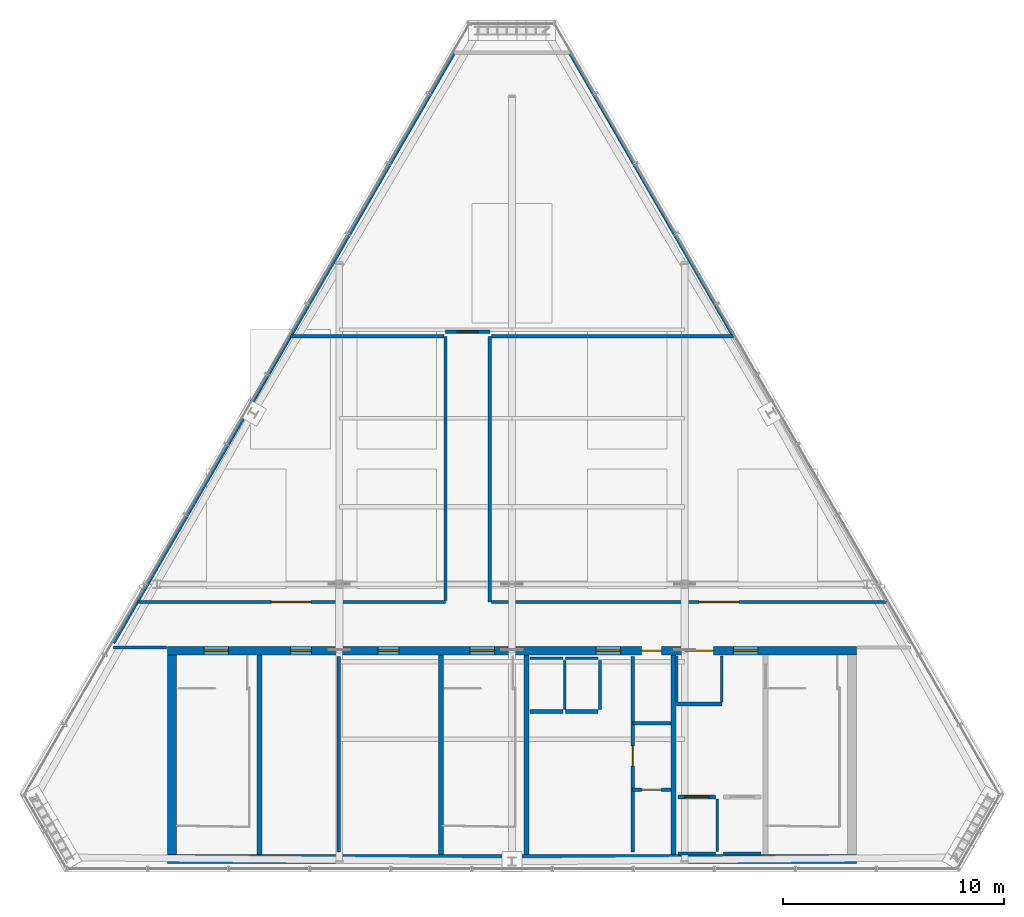
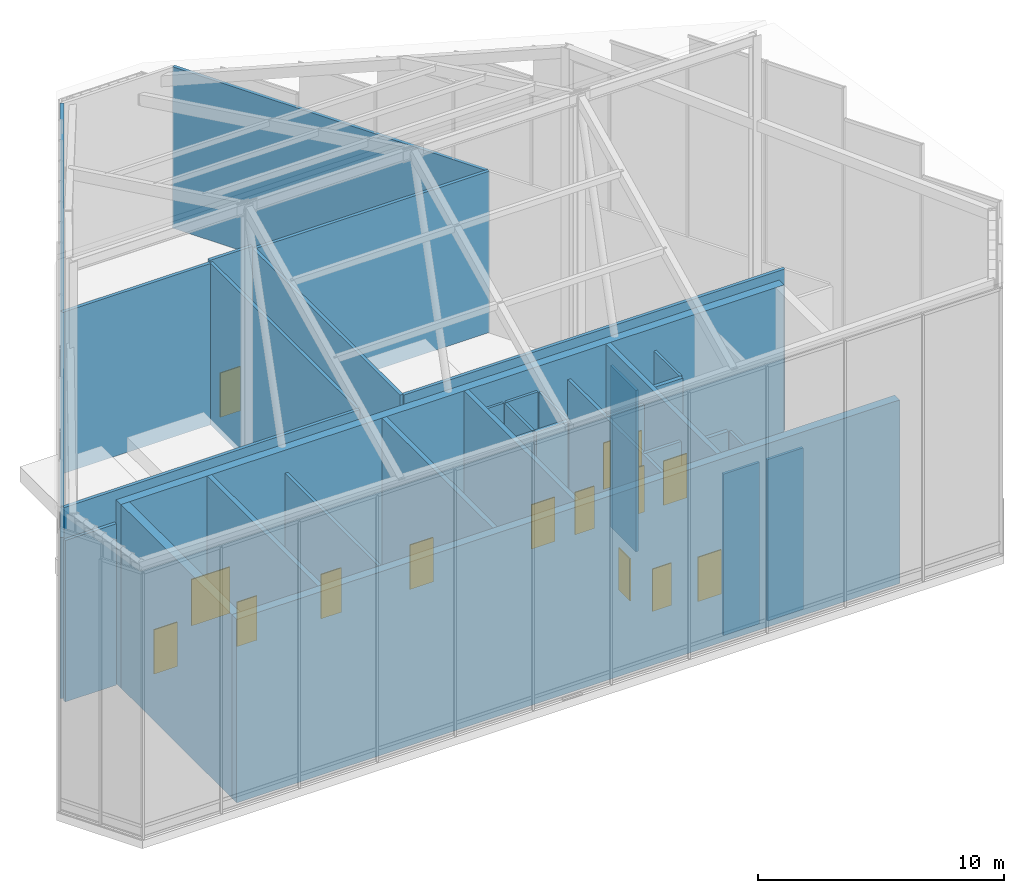
# One storey, part 34 of 36: 36 walls, 14 doors, 14 openings.
"""IFC4 building model written with IfcOpenShell, lengths in metres."""

import ifcopenshell
import ifcopenshell.guid

model = None  # the IFC model being written
_history = None  # IfcOwnerHistory: only IFC2X3 demands one
_inside = {}  # id of a spatial element -> (the spatial element, [elements in it])
_under = {}  # id of a project, library or spatial element -> (it, [spatial elements below it])
_declared = {}  # id of a project -> (the project, [libraries it declares])
_typed = {}  # id of a type object -> (the type object, [elements of that type])
_made_of = {}  # id of a material, layer set ... -> (it, [elements and type objects made of it])


def new_model(schema):
    """Start an empty IFC model of exactly this schema.

    Asked for "IFC4X3", IfcOpenShell would pick the latest addendum, in which some entities
    have other attributes; the version numbers below select the first issue.
    IFC2X3 requires an IfcOwnerHistory on every rooted entity: one is made here for all.
    """
    global model, _history
    if schema == "IFC4X3":
        model = ifcopenshell.file(schema_version=(4, 3, 0, 0))
    else:
        model = ifcopenshell.file(schema=schema)
    _inside.clear()
    _under.clear()
    _declared.clear()
    _typed.clear()
    _made_of.clear()
    _history = None
    if model.schema == "IFC2X3":
        org = make("IfcOrganization", Name="unknown")
        user = make(
            "IfcPersonAndOrganization",
            ThePerson=make("IfcPerson", FamilyName="unknown"),
            TheOrganization=org,
        )
        app = make(
            "IfcApplication",
            ApplicationDeveloper=org,
            Version="unknown",
            ApplicationFullName="unknown",
            ApplicationIdentifier="unknown",
        )
        _history = make(
            "IfcOwnerHistory",
            OwningUser=user,
            OwningApplication=app,
            ChangeAction="ADDED",
            CreationDate=0,
        )
    return model


def make(cls, **values):
    """One entity of the class cls with the attributes given. An attribute that is None is left unset."""
    return model.create_entity(
        cls, **{name: value for name, value in values.items() if value is not None}
    )


def rooted(cls, **values):
    """An entity with a GlobalId (a new one), such as an element, a storey or a relation."""
    return make(cls, GlobalId=ifcopenshell.guid.new(), OwnerHistory=_history, **values)


def si_unit(unit_type, name, prefix=None):
    """IfcSIUnit, for example si_unit("LENGTHUNIT", "METRE", prefix="MILLI")."""
    return make("IfcSIUnit", UnitType=unit_type, Prefix=prefix, Name=name)


def assignment(units):
    """IfcUnitAssignment: the units of a project."""
    return None if units is None else make("IfcUnitAssignment", Units=units)


def point(xyz):
    """IfcCartesianPoint."""
    return None if xyz is None else make("IfcCartesianPoint", Coordinates=xyz)


def direction(xyz):
    """IfcDirection."""
    return None if xyz is None else make("IfcDirection", DirectionRatios=xyz)


def frame(location, z_axis=None, x_axis=None):
    """IfcAxis2Placement3D, a coordinate frame: its origin and axes. An axis left out is left unset."""
    return make(
        "IfcAxis2Placement3D",
        Location=point(location),
        Axis=direction(z_axis),
        RefDirection=direction(x_axis),
    )


def frame_2d(location, x_axis=None):
    """IfcAxis2Placement2D, a coordinate frame in the plane: its origin and x axis."""
    return make(
        "IfcAxis2Placement2D", Location=point(location), RefDirection=direction(x_axis)
    )


def origin():
    """The frame at (0, 0, 0) with its axes left unset."""
    return frame((0.0, 0.0, 0.0))


def place(relative_to, where):
    """IfcLocalPlacement: puts the frame where relative to a parent placement (None: the world)."""
    return make(
        "IfcLocalPlacement", PlacementRelTo=relative_to, RelativePlacement=where
    )


def context(
    kind, dimensions, precision=None, world=None, true_north=None, identifier=None
):
    """IfcGeometricRepresentationContext, for example the 3D "Model" context."""
    return make(
        "IfcGeometricRepresentationContext",
        ContextIdentifier=identifier,
        ContextType=kind,
        CoordinateSpaceDimension=dimensions,
        Precision=precision,
        WorldCoordinateSystem=world,
        TrueNorth=true_north,
    )


def subcontext(parent, identifier, kind, view, scale=None):
    """IfcGeometricRepresentationSubContext, for example "Body" below "Model"."""
    return make(
        "IfcGeometricRepresentationSubContext",
        ContextIdentifier=identifier,
        ContextType=kind,
        ParentContext=parent,
        TargetScale=scale,
        TargetView=view,
    )


def project(units=None, contexts=None):
    """IfcProject with its units and contexts."""
    return rooted(
        "IfcProject",
        Name="project",
        RepresentationContexts=contexts,
        UnitsInContext=assignment(units),
    )


def spatial(cls, under=None, at=None, **own):
    """A site, building, storey or space (cls), placed at a placement, below another one or the project."""
    s = rooted(cls, ObjectPlacement=at, **own)
    if under is not None:
        _under.setdefault(under.id(), (under, []))[1].append(s)
    return s


def profile(cls, at=None, kind="AREA", **sizes):
    """A parametric profile (cls). Its sizes go by their IFC names, for example OverallWidth=200.0."""
    return make(cls, ProfileType=kind, Position=at, **sizes)


def rectangle(**sizes):
    """IfcRectangleProfileDef."""
    return profile("IfcRectangleProfileDef", **sizes)


def extrude(swept, where, along, depth):
    """IfcExtrudedAreaSolid: the profile swept, set in the frame where, extruded along a direction by depth."""
    return make(
        "IfcExtrudedAreaSolid",
        SweptArea=swept,
        Position=where,
        ExtrudedDirection=direction(along),
        Depth=depth,
    )


def shape(context_of_items, identifier, shape_type, items):
    """IfcShapeRepresentation: the items that make up one representation, for example the "Body"."""
    return make(
        "IfcShapeRepresentation",
        ContextOfItems=context_of_items,
        RepresentationIdentifier=identifier,
        RepresentationType=shape_type,
        Items=items,
    )


def material(Name=None, Category=None):
    """IfcMaterial."""
    return make("IfcMaterial", Name=Name, Category=Category)


def layer(
    of_material, thickness, ventilated=None, Name=None, Category=None, Priority=None
):
    """IfcMaterialLayer: one layer of a wall or slab, of a material (None: an air gap)."""
    return make(
        "IfcMaterialLayer",
        Material=of_material,
        LayerThickness=thickness,
        IsVentilated=ventilated,
        Name=Name,
        Category=Category,
        Priority=Priority,
    )


def layer_set(layers, Name=None):
    """IfcMaterialLayerSet."""
    return make("IfcMaterialLayerSet", MaterialLayers=layers, LayerSetName=Name)


def made_of(thing, what):
    """Note that an element or type object is made of a material, layer set ...; save() writes the relation."""
    if what is not None:
        _made_of.setdefault(what.id(), (what, []))[1].append(thing)
    return thing


def type_object(cls, material=None, **own):
    """A type object (cls), such as IfcWallType, which elements share."""
    return made_of(rooted(cls, **own), material)


def element(
    cls,
    number,
    at=None,
    inside=None,
    cuts=None,
    type_object=None,
    material=None,
    context=None,
    identifier="Body",
    shape_type=None,
    held_by="IfcProductDefinitionShape",
    body=None,
    shapes=None,
    **own,
):
    """One element of the class cls, such as IfcWall. Its Tag is "e" and its number.

    at: its placement. inside: the storey or other place that contains it. cuts: it is an
    opening in that element (IfcRelVoidsElement). A single representation is given by context,
    identifier, shape_type and body (its items); several are given by shapes. held_by: the class
    of the entity that holds the representations. save() writes the other relations.
    """
    e = rooted(cls, Tag="e%d" % number, ObjectPlacement=at, **own)
    if body is not None:
        shapes = [shape(context, identifier, shape_type, body)]
    if shapes is not None:
        e.Representation = make(held_by, Representations=shapes)
    if inside is not None:
        _inside.setdefault(inside.id(), (inside, []))[1].append(e)
    if cuts is not None:
        rooted(
            "IfcRelVoidsElement", RelatingBuildingElement=cuts, RelatedOpeningElement=e
        )
    if type_object is not None:
        _typed.setdefault(type_object.id(), (type_object, []))[1].append(e)
    return made_of(e, material)


def fill(opening, filler):
    """IfcRelFillsElement: the door or window that sits in an opening."""
    return rooted(
        "IfcRelFillsElement",
        RelatingOpeningElement=opening,
        RelatedBuildingElement=filler,
    )


def aggregate(whole, parts):
    """IfcRelAggregates: a whole, such as a stair, and the parts it consists of."""
    return rooted("IfcRelAggregates", RelatingObject=whole, RelatedObjects=parts)


def save(model, path):
    """Write the relations noted so far, then the file.

    IfcRelAggregates (storeys below a building ...), IfcRelContainedInSpatialStructure (elements
    in a storey), IfcRelDefinesByType, IfcRelAssociatesMaterial and IfcRelDeclares: one each for
    every whole, place, type object, material and project.
    """
    for whole, parts in _under.values():
        aggregate(whole, parts)
    for where, things in _inside.values():
        rooted(
            "IfcRelContainedInSpatialStructure",
            RelatedElements=things,
            RelatingStructure=where,
        )
    for kind, things in _typed.values():
        rooted("IfcRelDefinesByType", RelatedObjects=things, RelatingType=kind)
    for what, things in _made_of.values():
        rooted("IfcRelAssociatesMaterial", RelatedObjects=things, RelatingMaterial=what)
    for by, libraries in _declared.values():
        rooted("IfcRelDeclares", RelatingContext=by, RelatedDefinitions=libraries)
    model.write(path)


model = new_model("IFC4")

# Units and contexts
model_context = context("Model", 3, precision=1e-05, world=origin(), true_north=direction((0.0, 1.0)))
body_context = subcontext(model_context, "Body", "Model", "MODEL_VIEW")
ifc_project = project(units=[si_unit("LENGTHUNIT", "METRE"), si_unit("AREAUNIT", "SQUARE_METRE"), si_unit("VOLUMEUNIT", "CUBIC_METRE"), si_unit("PLANEANGLEUNIT", "RADIAN"), si_unit("MASSUNIT", "GRAM", prefix="KILO")], contexts=[model_context])

# Site, building, storey
site_placement = place(None, origin())
site = spatial("IfcSite", under=ifc_project, at=site_placement, CompositionType="ELEMENT")
building_placement = place(site_placement, origin())
building = spatial("IfcBuilding", under=site, at=building_placement, Name="Ndaravel Arena Tower", CompositionType="ELEMENT")
storey_placement = place(building_placement, frame((0.0, 0.0, 308.10009765625)))
storey = spatial("IfcBuildingStorey", under=building, at=storey_placement, Name="Roof Crown", CompositionType="ELEMENT", Elevation=308.10009765625)

# Wall, opening, door
ifc_material_1 = material(Name="Gypsum", Category="gypsum")
ifc_layer_1 = layer(ifc_material_1, 0.14990234375)
ifc_layer_set_1 = layer_set([ifc_layer_1], Name="Gypsum")
wall_type_1 = type_object("IfcWallType", Name="WALL-COMP-150", PredefinedType="PARTITIONING", material=ifc_layer_set_1)
wall_1_placement = place(storey_placement, frame((47.449951171875, 5.89990234375, 0.0), z_axis=(0.0, 0.0, 1.0), x_axis=(0.0, 1.0, 0.0)))
wall_1 = element("IfcWall", 1, at=wall_1_placement, inside=storey, type_object=wall_type_1, Name="Roof Crown Core Riser Bay Partition", PredefinedType="PARTITIONING", context=body_context, shape_type="SweptSolid", body=[
    extrude(rectangle(XDim=8.85009765625, YDim=0.14990234375, at=frame_2d((4.425048828125, 0.0))), origin(), (0.0, 0.0, 1.0), 8.0),
])
opening_1_placement = place(wall_1_placement, frame((3.89990234375, 0.0, 0.0)))
opening_1 = element("IfcOpeningElement", 2, at=opening_1_placement, cuts=wall_1, Name="Opening RD-01", PredefinedType="OPENING", context=body_context, shape_type="SweptSolid", body=[
    extrude(rectangle(XDim=0.89990234375, YDim=2.10009765625, at=frame_2d((0.449951171875, 1.050048828125))), frame((0.0, 0.074951171875, 0.0), z_axis=(0.0, -1.0, 0.0), x_axis=(1.0, 0.0, 0.0)), (0.0, 0.0, 1.0), 0.14990234375),
])
ifc_material_2 = material(Name="Steel S355", Category="steel")
door_type_1 = type_object("IfcDoorType", Name="DT-08-RISER-900", OperationType="SINGLE_SWING_LEFT", PredefinedType="DOOR", material=ifc_material_2)
door_1_placement = place(opening_1_placement, origin())
door_1 = element("IfcDoor", 3, at=door_1_placement, inside=storey, type_object=door_type_1, Name="Roof Crown Plumbing Riser Door", OperationType="SINGLE_SWING_LEFT", OverallHeight=2.10009765625, OverallWidth=0.89990234375, PredefinedType="DOOR", context=body_context, shape_type="SweptSolid", body=[
    extrude(rectangle(XDim=0.89990234375, YDim=2.10009765625, at=frame_2d((0.449951171875, 1.050048828125))), frame((0.0, 0.02490234375, 0.0), z_axis=(0.0, -1.0, 0.0), x_axis=(1.0, 0.0, 0.0)), (0.0, 0.0, 1.0), 0.050048828125),
])
fill(opening_1, door_1)

wall_2_placement = place(storey_placement, frame((47.449951171875, 8.719970703125, 0.0), z_axis=(0.0, 0.0, 1.0), x_axis=(1.0, 0.0, 0.0)))
wall_2 = element("IfcWall", 4, at=wall_2_placement, inside=storey, type_object=wall_type_1, Name="Roof Crown Core Riser Divider 1", PredefinedType="PARTITIONING", context=body_context, shape_type="SweptSolid", body=[
    extrude(rectangle(XDim=1.72998046875, YDim=0.14990234375, at=frame_2d((0.864990234375, 0.0))), origin(), (0.0, 0.0, 1.0), 8.0),
])
opening_2_placement = place(wall_2_placement, frame((0.39990234375, 0.0, 0.0)))
opening_2 = element("IfcOpeningElement", 5, at=opening_2_placement, cuts=wall_2, Name="Opening RD-01", PredefinedType="OPENING", context=body_context, shape_type="SweptSolid", body=[
    extrude(rectangle(XDim=0.89990234375, YDim=2.10009765625, at=frame_2d((0.449951171875, 1.050048828125))), frame((0.0, 0.074951171875, 0.0), z_axis=(0.0, -1.0, 0.0), x_axis=(1.0, 0.0, 0.0)), (0.0, 0.0, 1.0), 0.14990234375),
])
door_2_placement = place(opening_2_placement, origin())
door_2 = element("IfcDoor", 6, at=door_2_placement, inside=storey, type_object=door_type_1, Name="Roof Crown Low-Voltage Riser Door", OperationType="SINGLE_SWING_RIGHT", OverallHeight=2.10009765625, OverallWidth=0.89990234375, PredefinedType="DOOR", context=body_context, shape_type="SweptSolid", body=[
    extrude(rectangle(XDim=0.89990234375, YDim=2.10009765625, at=frame_2d((0.449951171875, 1.050048828125))), frame((0.0, 0.02490234375, 0.0), z_axis=(0.0, -1.0, 0.0), x_axis=(1.0, 0.0, 0.0)), (0.0, 0.0, 1.0), 0.050048828125),
])
fill(opening_2, door_2)

# Walls
wall_3_placement = place(storey_placement, frame((47.449951171875, 11.719970703125, 0.0), z_axis=(0.0, 0.0, 1.0), x_axis=(1.0, 0.0, 0.0)))
element("IfcWall", 7, at=wall_3_placement, inside=storey, type_object=wall_type_1, Name="Roof Crown Core Riser Divider 2", PredefinedType="PARTITIONING", context=body_context, shape_type="SweptSolid", body=[
    extrude(rectangle(XDim=1.72998046875, YDim=0.14990234375, at=frame_2d((0.864990234375, 0.0))), origin(), (0.0, 0.0, 1.0), 8.0),
])
wall_4_placement = place(storey_placement, frame((34.179931640625, 5.89990234375, 0.0), z_axis=(0.0, 0.0, 1.0), x_axis=(0.0, 1.0, 0.0)))
element("IfcWall", 8, at=wall_4_placement, inside=storey, type_object=wall_type_1, Name="Roof Crown High-Zone Core Divider 1", PredefinedType="PARTITIONING", context=body_context, shape_type="SweptSolid", body=[
    extrude(rectangle(XDim=8.85009765625, YDim=0.14990234375, at=frame_2d((4.425048828125, 0.0))), origin(), (0.0, 0.0, 1.0), 8.0),
])
wall_5_placement = place(storey_placement, frame((26.39990234375, 15.14990234375, 0.0), z_axis=(0.0, 0.0, 1.0), x_axis=(-1.0, 0.0, 0.0)))
element("IfcWall", 9, at=wall_5_placement, inside=storey, type_object=wall_type_1, Name="Roof Crown Interior Partition 002", PredefinedType="PARTITIONING", context=body_context, shape_type="SweptSolid", body=[
    extrude(rectangle(XDim=2.39990234375, YDim=0.14990234375, at=frame_2d((1.199951171875, 0.0))), origin(), (0.0, 0.0, 1.0), 8.0),
])
wall_6_placement = place(storey_placement, frame((24.0, 15.353759765625, 0.0), z_axis=(0.0, 0.0, 1.0), x_axis=(0.500006636387, 0.866021572231, 0.0)))
element("IfcWall", 10, at=wall_6_placement, inside=storey, type_object=wall_type_1, Name="Roof Crown Interior Partition 003", PredefinedType="PARTITIONING", context=body_context, shape_type="SweptSolid", body=[
    extrude(rectangle(XDim=2.1318359375, YDim=0.14990234375, at=frame_2d((1.06591796875, 0.0))), origin(), (0.0, 0.0, 1.0), 8.0),
])

# Wall, opening, door
wall_7_placement = place(storey_placement, frame((25.06591796875, 17.199951171875, 0.0), z_axis=(0.0, 0.0, 1.0), x_axis=(1.0, 0.0, 0.0)))
wall_7 = element("IfcWall", 11, at=wall_7_placement, inside=storey, type_object=wall_type_1, Name="Roof Crown Interior Partition 004", PredefinedType="PARTITIONING", context=body_context, shape_type="SweptSolid", body=[
    extrude(rectangle(XDim=13.93408203125, YDim=0.14990234375, at=frame_2d((6.967041015625, 0.0))), origin(), (0.0, 0.0, 1.0), 8.0),
])
opening_3_placement = place(wall_7_placement, frame((6.067138671875, 0.0, 0.0)))
opening_3 = element("IfcOpeningElement", 12, at=opening_3_placement, cuts=wall_7, Name="Opening PD-01", PredefinedType="OPENING", context=body_context, shape_type="SweptSolid", body=[
    extrude(rectangle(XDim=1.800048828125, YDim=2.300048828125, at=frame_2d((0.89990234375, 1.14990234375))), frame((0.0, 0.074951171875, 0.0), z_axis=(0.0, -1.0, 0.0), x_axis=(1.0, 0.0, 0.0)), (0.0, 0.0, 1.0), 0.14990234375),
])
ifc_material_3 = material(Name="Steel S355", Category="steel")
door_type_2 = type_object("IfcDoorType", Name="DT-09-PLANT-1800", OperationType="DOUBLE_DOOR_SINGLE_SWING", PredefinedType="DOOR", material=ifc_material_3)
door_3_placement = place(opening_3_placement, origin())
door_3 = element("IfcDoor", 13, at=door_3_placement, inside=storey, type_object=door_type_2, Name="Roof Crown High-Zone Chiller & Cooling Tower Plant Room Door", OperationType="SINGLE_SWING_RIGHT", OverallHeight=2.300048828125, OverallWidth=1.800048828125, PredefinedType="DOOR", context=body_context, shape_type="SweptSolid", body=[
    extrude(rectangle(XDim=1.800048828125, YDim=2.300048828125, at=frame_2d((0.89990234375, 1.14990234375))), frame((0.0, 0.02490234375, 0.0), z_axis=(0.0, -1.0, 0.0), x_axis=(1.0, 0.0, 0.0)), (0.0, 0.0, 1.0), 0.050048828125),
])
fill(opening_3, door_3)

# Wall
wall_8_placement = place(storey_placement, frame((39.0, 17.264892578125, 0.0), z_axis=(0.0, 0.0, 1.0), x_axis=(0.0, 1.0, 0.0)))
element("IfcWall", 14, at=wall_8_placement, inside=storey, type_object=wall_type_1, Name="Roof Crown Interior Partition 005", PredefinedType="PARTITIONING", context=body_context, shape_type="SweptSolid", body=[
    extrude(rectangle(XDim=11.93505859375, YDim=0.14990234375, at=frame_2d((5.967529296875, 0.0))), origin(), (0.0, 0.0, 1.0), 8.0),
])

# Wall, opening, door
wall_9_placement = place(storey_placement, frame((39.0, 29.39990234375, 0.0), z_axis=(0.0, 0.0, 1.0), x_axis=(1.0, 0.0, 0.0)))
wall_9 = element("IfcWall", 15, at=wall_9_placement, inside=storey, type_object=wall_type_1, Name="Roof Crown Interior Partition 006", PredefinedType="PARTITIONING", context=body_context, shape_type="SweptSolid", body=[
    extrude(rectangle(XDim=2.0, YDim=0.14990234375, at=frame_2d((1.0, 0.0))), origin(), (0.0, 0.0, 1.0), 8.0),
])
opening_4_placement = place(wall_9_placement, frame((0.52490234375, 0.0, 0.0)))
opening_4 = element("IfcOpeningElement", 16, at=opening_4_placement, cuts=wall_9, Name="Opening FD-03", PredefinedType="OPENING", context=body_context, shape_type="SweptSolid", body=[
    extrude(rectangle(XDim=0.949951171875, YDim=2.199951171875, at=frame_2d((0.47509765625, 1.10009765625))), frame((0.0, 0.074951171875, 0.0), z_axis=(0.0, -1.0, 0.0), x_axis=(1.0, 0.0, 0.0)), (0.0, 0.0, 1.0), 0.14990234375),
])
ifc_material_4 = material(Name="Steel S355", Category="steel")
door_type_3 = type_object("IfcDoorType", Name="DT-11-CORE-950", OperationType="SINGLE_SWING_LEFT", PredefinedType="DOOR", material=ifc_material_4)
door_4_placement = place(opening_4_placement, origin())
door_4 = element("IfcDoor", 17, at=door_4_placement, inside=storey, type_object=door_type_3, Name="Roof Crown Roof Maintenance & Water Tank Plant Room Door", OperationType="SINGLE_SWING_RIGHT", OverallHeight=2.199951171875, OverallWidth=0.949951171875, PredefinedType="DOOR", context=body_context, shape_type="SweptSolid", body=[
    extrude(rectangle(XDim=0.949951171875, YDim=2.199951171875, at=frame_2d((0.47509765625, 1.10009765625))), frame((0.0, 0.02490234375, 0.0), z_axis=(0.0, -1.0, 0.0), x_axis=(1.0, 0.0, 0.0)), (0.0, 0.0, 1.0), 0.050048828125),
])
fill(opening_4, door_4)

# Wall
wall_10_placement = place(storey_placement, frame((41.0, 29.199951171875, 0.0), z_axis=(0.0, 0.0, 1.0), x_axis=(0.0, -1.0, 0.0)))
element("IfcWall", 18, at=wall_10_placement, inside=storey, type_object=wall_type_1, Name="Roof Crown Interior Partition 007", PredefinedType="PARTITIONING", context=body_context, shape_type="SweptSolid", body=[
    extrude(rectangle(XDim=12.0, YDim=0.14990234375, at=frame_2d((6.0, 0.0))), origin(), (0.0, 0.0, 1.0), 8.0),
])

# Wall, opening, door
wall_11_placement = place(storey_placement, frame((41.06494140625, 17.199951171875, 0.0), z_axis=(0.0, 0.0, 1.0), x_axis=(1.0, 0.0, 0.0)))
wall_11 = element("IfcWall", 19, at=wall_11_placement, inside=storey, type_object=wall_type_1, Name="Roof Crown Interior Partition 008", PredefinedType="PARTITIONING", context=body_context, shape_type="SweptSolid", body=[
    extrude(rectangle(XDim=17.869140625, YDim=0.14990234375, at=frame_2d((8.9345703125, 0.0))), origin(), (0.0, 0.0, 1.0), 8.0),
])
opening_5_placement = place(wall_11_placement, frame((9.384521484375, 0.0, 0.0)))
opening_5 = element("IfcOpeningElement", 20, at=opening_5_placement, cuts=wall_11, Name="Opening PD-01", PredefinedType="OPENING", context=body_context, shape_type="SweptSolid", body=[
    extrude(rectangle(XDim=1.800048828125, YDim=2.300048828125, at=frame_2d((0.89990234375, 1.14990234375))), frame((0.0, 0.074951171875, 0.0), z_axis=(0.0, -1.0, 0.0), x_axis=(1.0, 0.0, 0.0)), (0.0, 0.0, 1.0), 0.14990234375),
])
door_5_placement = place(opening_5_placement, origin())
door_5 = element("IfcDoor", 21, at=door_5_placement, inside=storey, type_object=door_type_2, Name="Roof Crown Crown Heat-Recovery AHU & BMS Room Door", OperationType="SINGLE_SWING_LEFT", OverallHeight=2.300048828125, OverallWidth=1.800048828125, PredefinedType="DOOR", context=body_context, shape_type="SweptSolid", body=[
    extrude(rectangle(XDim=1.800048828125, YDim=2.300048828125, at=frame_2d((0.89990234375, 1.14990234375))), frame((0.0, 0.02490234375, 0.0), z_axis=(0.0, -1.0, 0.0), x_axis=(1.0, 0.0, 0.0)), (0.0, 0.0, 1.0), 0.050048828125),
])
fill(opening_5, door_5)

# Walls
wall_12_placement = place(storey_placement, frame((25.103515625, 17.264892578125, 0.0), z_axis=(0.0, 0.0, 1.0), x_axis=(0.499995412721, 0.866028052235, 0.0)))
element("IfcWall", 22, at=wall_12_placement, inside=storey, type_object=wall_type_1, Name="Roof Crown Interior Partition 010", PredefinedType="PARTITIONING", context=body_context, shape_type="SweptSolid", body=[
    extrude(rectangle(XDim=13.781494140625, YDim=0.14990234375, at=frame_2d((6.890625, 0.0))), origin(), (0.0, 0.0, 1.0), 8.0),
])
wall_13_placement = place(storey_placement, frame((31.994140625, 29.199951171875, 0.0), z_axis=(0.0, 0.0, 1.0), x_axis=(1.0, 0.0, 0.0)))
element("IfcWall", 23, at=wall_13_placement, inside=storey, type_object=wall_type_1, Name="Roof Crown Interior Partition 011", PredefinedType="PARTITIONING", context=body_context, shape_type="SweptSolid", body=[
    extrude(rectangle(XDim=6.94091796875, YDim=0.14990234375, at=frame_2d((3.470458984375, 0.0))), origin(), (0.0, 0.0, 1.0), 8.0),
])
wall_14_placement = place(storey_placement, frame((41.06494140625, 29.199951171875, 0.0), z_axis=(0.0, 0.0, 1.0), x_axis=(1.0, 0.0, 0.0)))
element("IfcWall", 24, at=wall_14_placement, inside=storey, type_object=wall_type_1, Name="Roof Crown Interior Partition 012", PredefinedType="PARTITIONING", context=body_context, shape_type="SweptSolid", body=[
    extrude(rectangle(XDim=10.94091796875, YDim=0.14990234375, at=frame_2d((5.470458984375, 0.0))), origin(), (0.0, 0.0, 1.0), 8.0),
])
for number, where, z_axis, x_axis, name in (
    (25, (32.031494140625, 29.264892578125, 0.0), (0.0, 0.0, 1.0), (0.500008441052, 0.866020530286, 0.0), "Roof Crown Interior Partition 014"),
    (26, (44.61572265625, 42.0, 0.0), (0.0, 0.0, 1.0), (0.500008441052, -0.866020530286, 0.0), "Roof Crown Interior Partition 016"),
):
    element("IfcWall", number, at=place(storey_placement, frame(where, z_axis=z_axis, x_axis=x_axis)), inside=storey, type_object=wall_type_1, Name=name, PredefinedType="PARTITIONING", context=body_context, shape_type="SweptSolid", body=[
        extrude(rectangle(XDim=14.705322265625, YDim=0.14990234375, at=frame_2d((7.3525390625, 0.0))), origin(), (0.0, 0.0, 1.0), 8.0),
    ])
ifc_material_5 = material(Name="Concrete C50/60", Category="concrete")
ifc_layer_2 = layer(ifc_material_5, 0.219970703125)
ifc_layer_set_2 = layer_set([ifc_layer_2], Name="Concrete C50/60")
wall_type_2 = type_object("IfcWallType", Name="WALL-CORE-220", PredefinedType="SOLIDWALL", material=ifc_layer_set_2)
for number, where, z_axis, x_axis, name in (
    (27, (30.60009765625, 5.800048828125, 0.0), (0.0, 0.0, 1.0), (0.0, 1.0, 0.0), "Roof Crown Core Web Shear Wall 1"),
    (28, (38.800048828125, 5.800048828125, 0.0), (0.0, 0.0, 1.0), (0.0, 1.0, 0.0), "Roof Crown Core Web Shear Wall 2"),
    (29, (42.64990234375, 5.800048828125, 0.0), (0.0, 0.0, 1.0), (0.0, 1.0, 0.0), "Roof Crown Core Web Shear Wall 3"),
    (30, (49.300048828125, 5.800048828125, 0.0), (0.0, 0.0, 1.0), (0.0, 1.0, 0.0), "Roof Crown Core Web Shear Wall 4"),
):
    element("IfcWall", number, at=place(storey_placement, frame(where, z_axis=z_axis, x_axis=x_axis)), inside=storey, type_object=wall_type_2, Name=name, PredefinedType="SOLIDWALL", context=body_context, shape_type="SweptSolid", body=[
        extrude(rectangle(XDim=9.0, YDim=0.219970703125, at=frame_2d((4.5, 0.0))), origin(), (0.0, 0.0, 1.0), 9.099853515625),
    ])

# Wall, openings, doors
ifc_material_6 = material(Name="Concrete C50/60", Category="concrete")
ifc_layer_3 = layer(ifc_material_6, 0.39990234375)
ifc_layer_set_3 = layer_set([ifc_layer_3], Name="Concrete C50/60")
wall_type_3 = type_object("IfcWallType", Name="WALL-CORE-400", PredefinedType="SOLIDWALL", material=ifc_layer_set_3)
wall_15_placement = place(storey_placement, frame((26.449951171875, 15.0, 0.0), z_axis=(0.0, 0.0, 1.0), x_axis=(1.0, 0.0, 0.0)))
wall_15 = element("IfcWall", 31, at=wall_15_placement, inside=storey, type_object=wall_type_3, Name="Roof Crown Core North Shear Wall", PredefinedType="SOLIDWALL", context=body_context, shape_type="SweptSolid", body=[
    extrude(rectangle(XDim=31.10009765625, YDim=0.39990234375, at=frame_2d((15.550048828125, 0.0))), origin(), (0.0, 0.0, 1.0), 9.099853515625),
])
opening_6_placement = place(wall_15_placement, frame((1.64990234375, 0.0, 0.0)))
opening_6 = element("IfcOpeningElement", 32, at=opening_6_placement, cuts=wall_15, Name="Opening FD-01", PredefinedType="OPENING", context=body_context, shape_type="SweptSolid", body=[
    extrude(rectangle(XDim=1.10009765625, YDim=2.199951171875, at=frame_2d((0.550048828125, 1.10009765625))), frame((0.0, 0.199951171875, 0.0), z_axis=(0.0, -1.0, 0.0), x_axis=(1.0, 0.0, 0.0)), (0.0, 0.0, 1.0), 0.39990234375),
])
opening_7_placement = place(wall_15_placement, frame((13.64990234375, 0.0, 0.0)))
opening_7 = element("IfcOpeningElement", 33, at=opening_7_placement, cuts=wall_15, Name="Opening FD-01", PredefinedType="OPENING", context=body_context, shape_type="SweptSolid", body=[
    extrude(rectangle(XDim=1.10009765625, YDim=2.199951171875, at=frame_2d((0.550048828125, 1.10009765625))), frame((0.0, 0.199951171875, 0.0), z_axis=(0.0, -1.0, 0.0), x_axis=(1.0, 0.0, 0.0)), (0.0, 0.0, 1.0), 0.39990234375),
])
opening_8_placement = place(wall_15_placement, frame((25.550048828125, 0.0, 0.0)))
opening_8 = element("IfcOpeningElement", 34, at=opening_8_placement, cuts=wall_15, Name="Opening FD-01", PredefinedType="OPENING", context=body_context, shape_type="SweptSolid", body=[
    extrude(rectangle(XDim=1.10009765625, YDim=2.199951171875, at=frame_2d((0.550048828125, 1.10009765625))), frame((0.0, 0.199951171875, 0.0), z_axis=(0.0, -1.0, 0.0), x_axis=(1.0, 0.0, 0.0)), (0.0, 0.0, 1.0), 0.39990234375),
])
opening_9_placement = place(wall_15_placement, frame((19.35009765625, 0.0, 0.0)))
opening_9 = element("IfcOpeningElement", 35, at=opening_9_placement, cuts=wall_15, Name="Opening FD-01", PredefinedType="OPENING", context=body_context, shape_type="SweptSolid", body=[
    extrude(rectangle(XDim=1.10009765625, YDim=2.199951171875, at=frame_2d((0.550048828125, 1.10009765625))), frame((0.0, 0.199951171875, 0.0), z_axis=(0.0, -1.0, 0.0), x_axis=(1.0, 0.0, 0.0)), (0.0, 0.0, 1.0), 0.39990234375),
])
opening_10_placement = place(wall_15_placement, frame((21.39990234375, 0.0, 0.0)))
opening_10 = element("IfcOpeningElement", 36, at=opening_10_placement, cuts=wall_15, Name="Opening RD-01", PredefinedType="OPENING", context=body_context, shape_type="SweptSolid", body=[
    extrude(rectangle(XDim=0.89990234375, YDim=2.10009765625, at=frame_2d((0.449951171875, 1.050048828125))), frame((0.0, 0.199951171875, 0.0), z_axis=(0.0, -1.0, 0.0), x_axis=(1.0, 0.0, 0.0)), (0.0, 0.0, 1.0), 0.39990234375),
])
opening_11_placement = place(wall_15_placement, frame((5.5400390625, 0.0, 0.0)))
opening_11 = element("IfcOpeningElement", 37, at=opening_11_placement, cuts=wall_15, Name="Opening FD-03", PredefinedType="OPENING", context=body_context, shape_type="SweptSolid", body=[
    extrude(rectangle(XDim=0.949951171875, YDim=2.199951171875, at=frame_2d((0.47509765625, 1.10009765625))), frame((0.0, 0.199951171875, 0.0), z_axis=(0.0, -1.0, 0.0), x_axis=(1.0, 0.0, 0.0)), (0.0, 0.0, 1.0), 0.39990234375),
])
opening_12_placement = place(wall_15_placement, frame((9.489990234375, 0.0, 0.0)))
opening_12 = element("IfcOpeningElement", 38, at=opening_12_placement, cuts=wall_15, Name="Opening FD-03", PredefinedType="OPENING", context=body_context, shape_type="SweptSolid", body=[
    extrude(rectangle(XDim=0.949951171875, YDim=2.199951171875, at=frame_2d((0.47509765625, 1.10009765625))), frame((0.0, 0.199951171875, 0.0), z_axis=(0.0, -1.0, 0.0), x_axis=(1.0, 0.0, 0.0)), (0.0, 0.0, 1.0), 0.39990234375),
])
opening_13_placement = place(wall_15_placement, frame((23.35009765625, 0.0, 0.0)))
opening_13 = element("IfcOpeningElement", 39, at=opening_13_placement, cuts=wall_15, Name="Opening LD-02", PredefinedType="OPENING", context=body_context, shape_type="SweptSolid", body=[
    extrude(rectangle(XDim=1.300048828125, YDim=2.300048828125, at=frame_2d((0.64990234375, 1.14990234375))), frame((0.0, 0.199951171875, 0.0), z_axis=(0.0, -1.0, 0.0), x_axis=(1.0, 0.0, 0.0)), (0.0, 0.0, 1.0), 0.39990234375),
])
ifc_material_7 = material(Name="Steel S355", Category="steel")
door_type_4 = type_object("IfcDoorType", Name="DT-01-STAIR-1100", OperationType="SINGLE_SWING_LEFT", PredefinedType="DOOR", material=ifc_material_7)
door_6_placement = place(opening_6_placement, origin())
door_6 = element("IfcDoor", 40, at=door_6_placement, inside=storey, type_object=door_type_4, Name="Roof Crown Exit Stair ST-1 Door", OperationType="SINGLE_SWING_RIGHT", OverallHeight=2.199951171875, OverallWidth=1.10009765625, PredefinedType="DOOR", context=body_context, shape_type="SweptSolid", body=[
    extrude(rectangle(XDim=1.10009765625, YDim=2.199951171875, at=frame_2d((0.550048828125, 1.10009765625))), frame((0.0, 0.02490234375, 0.0), z_axis=(0.0, -1.0, 0.0), x_axis=(1.0, 0.0, 0.0)), (0.0, 0.0, 1.0), 0.050048828125),
])
fill(opening_6, door_6)
door_7_placement = place(opening_7_placement, origin())
door_7 = element("IfcDoor", 41, at=door_7_placement, inside=storey, type_object=door_type_4, Name="Roof Crown Exit Stair ST-2 Door", OperationType="SINGLE_SWING_LEFT", OverallHeight=2.199951171875, OverallWidth=1.10009765625, PredefinedType="DOOR", context=body_context, shape_type="SweptSolid", body=[
    extrude(rectangle(XDim=1.10009765625, YDim=2.199951171875, at=frame_2d((0.550048828125, 1.10009765625))), frame((0.0, 0.02490234375, 0.0), z_axis=(0.0, -1.0, 0.0), x_axis=(1.0, 0.0, 0.0)), (0.0, 0.0, 1.0), 0.050048828125),
])
fill(opening_7, door_7)
door_8_placement = place(opening_8_placement, origin())
door_8 = element("IfcDoor", 42, at=door_8_placement, inside=storey, type_object=door_type_4, Name="Roof Crown Firefighting Lift Lobby Door", OperationType="SINGLE_SWING_RIGHT", OverallHeight=2.199951171875, OverallWidth=1.10009765625, PredefinedType="DOOR", context=body_context, shape_type="SweptSolid", body=[
    extrude(rectangle(XDim=1.10009765625, YDim=2.199951171875, at=frame_2d((0.550048828125, 1.10009765625))), frame((0.0, 0.02490234375, 0.0), z_axis=(0.0, -1.0, 0.0), x_axis=(1.0, 0.0, 0.0)), (0.0, 0.0, 1.0), 0.050048828125),
])
fill(opening_8, door_8)
door_9_placement = place(opening_9_placement, origin())
door_9 = element("IfcDoor", 43, at=door_9_placement, inside=storey, type_object=door_type_4, Name="Roof Crown Express Lift Lobby Entry Door", OperationType="SINGLE_SWING_LEFT", OverallHeight=2.199951171875, OverallWidth=1.10009765625, PredefinedType="DOOR", context=body_context, shape_type="SweptSolid", body=[
    extrude(rectangle(XDim=1.10009765625, YDim=2.199951171875, at=frame_2d((0.550048828125, 1.10009765625))), frame((0.0, 0.02490234375, 0.0), z_axis=(0.0, -1.0, 0.0), x_axis=(1.0, 0.0, 0.0)), (0.0, 0.0, 1.0), 0.050048828125),
])
fill(opening_9, door_9)
ifc_material_8 = material(Name="Steel S355", Category="steel")
door_type_5 = type_object("IfcDoorType", Name="DT-07-SVLIFT-1300", OperationType="DOUBLE_DOOR_SLIDING", PredefinedType="DOOR", material=ifc_material_8)
door_10_placement = place(opening_13_placement, origin())
door_10 = element("IfcDoor", 44, at=door_10_placement, inside=storey, type_object=door_type_5, Name="Roof Crown Lift SVL-1 Sliding Landing Door", OperationType="DOUBLE_DOOR_SLIDING", OverallHeight=2.300048828125, OverallWidth=1.300048828125, PredefinedType="DOOR", context=body_context, shape_type="SweptSolid", body=[
    extrude(rectangle(XDim=1.300048828125, YDim=2.300048828125, at=frame_2d((0.64990234375, 1.14990234375))), frame((0.0, 0.02490234375, 0.0), z_axis=(0.0, -1.0, 0.0), x_axis=(1.0, 0.0, 0.0)), (0.0, 0.0, 1.0), 0.050048828125),
])
fill(opening_13, door_10)
door_11_placement = place(opening_10_placement, origin())
door_11 = element("IfcDoor", 45, at=door_11_placement, inside=storey, type_object=door_type_1, Name="Roof Crown Core Service Riser North Door", OperationType="SINGLE_SWING_LEFT", OverallHeight=2.10009765625, OverallWidth=0.89990234375, PredefinedType="DOOR", context=body_context, shape_type="SweptSolid", body=[
    extrude(rectangle(XDim=0.89990234375, YDim=2.10009765625, at=frame_2d((0.449951171875, 1.050048828125))), frame((0.0, 0.02490234375, 0.0), z_axis=(0.0, -1.0, 0.0), x_axis=(1.0, 0.0, 0.0)), (0.0, 0.0, 1.0), 0.050048828125),
])
fill(opening_10, door_11)
door_12_placement = place(opening_11_placement, origin())
door_12 = element("IfcDoor", 46, at=door_12_placement, inside=storey, type_object=door_type_3, Name="Roof Crown High-Zone Reclaimed Core Room 1 Door", OperationType="SINGLE_SWING_LEFT", OverallHeight=2.199951171875, OverallWidth=0.949951171875, PredefinedType="DOOR", context=body_context, shape_type="SweptSolid", body=[
    extrude(rectangle(XDim=0.949951171875, YDim=2.199951171875, at=frame_2d((0.47509765625, 1.10009765625))), frame((0.0, 0.02490234375, 0.0), z_axis=(0.0, -1.0, 0.0), x_axis=(1.0, 0.0, 0.0)), (0.0, 0.0, 1.0), 0.050048828125),
])
fill(opening_11, door_12)
door_13_placement = place(opening_12_placement, origin())
door_13 = element("IfcDoor", 47, at=door_13_placement, inside=storey, type_object=door_type_3, Name="Roof Crown High-Zone Reclaimed Core Room 2 Door", OperationType="SINGLE_SWING_RIGHT", OverallHeight=2.199951171875, OverallWidth=0.949951171875, PredefinedType="DOOR", context=body_context, shape_type="SweptSolid", body=[
    extrude(rectangle(XDim=0.949951171875, YDim=2.199951171875, at=frame_2d((0.47509765625, 1.10009765625))), frame((0.0, 0.02490234375, 0.0), z_axis=(0.0, -1.0, 0.0), x_axis=(1.0, 0.0, 0.0)), (0.0, 0.0, 1.0), 0.050048828125),
])
fill(opening_12, door_13)

# Walls
wall_16_placement = place(storey_placement, frame((26.449951171875, 5.60009765625, 0.0), z_axis=(0.0, 0.0, 1.0), x_axis=(1.0, 0.0, 0.0)))
element("IfcWall", 48, at=wall_16_placement, inside=storey, type_object=wall_type_3, Name="Roof Crown Core South Shear Wall", PredefinedType="SOLIDWALL", context=body_context, shape_type="SweptSolid", body=[
    extrude(rectangle(XDim=31.10009765625, YDim=0.39990234375, at=frame_2d((15.550048828125, 0.0))), origin(), (0.0, 0.0, 1.0), 9.099853515625),
])
wall_17_placement = place(storey_placement, frame((26.64990234375, 5.800048828125, 0.0), z_axis=(0.0, 0.0, 1.0), x_axis=(0.0, 1.0, 0.0)))
element("IfcWall", 49, at=wall_17_placement, inside=storey, type_object=wall_type_3, Name="Roof Crown Core West Shear Wall", PredefinedType="SOLIDWALL", context=body_context, shape_type="SweptSolid", body=[
    extrude(rectangle(XDim=9.0, YDim=0.39990234375, at=frame_2d((4.5, 0.0))), origin(), (0.0, 0.0, 1.0), 9.099853515625),
])
ifc_material_9 = material(Name="Concrete C40/50", Category="concrete")
ifc_layer_4 = layer(ifc_material_9, 0.1201171875)
ifc_layer_set_4 = layer_set([ifc_layer_4], Name="Concrete C40/50")
wall_type_4 = type_object("IfcWallType", Name="WALL-SHAFT-120", PredefinedType="SOLIDWALL", material=ifc_layer_set_4)
wall_18_placement = place(storey_placement, frame((42.804931640625, 14.659912109375, 0.0), z_axis=(0.0, 0.0, 1.0), x_axis=(1.0, 0.0, 0.0)))
element("IfcWall", 50, at=wall_18_placement, inside=storey, type_object=wall_type_4, Name="Roof Crown PL-OBS1 Shaft Rear Wall", PredefinedType="SOLIDWALL", context=body_context, shape_type="SweptSolid", body=[
    extrude(rectangle(XDim=1.489990234375, YDim=0.1201171875, at=frame_2d((0.7451171875, 0.0))), origin(), (0.0, 0.0, 1.0), 8.0),
])
wall_19_placement = place(storey_placement, frame((44.375, 12.340087890625, 0.0), z_axis=(0.0, 0.0, 1.0), x_axis=(0.0, 1.0, 0.0)))
element("IfcWall", 51, at=wall_19_placement, inside=storey, type_object=wall_type_4, Name="Roof Crown PL-OBS1 Shaft Side R Wall", PredefinedType="SOLIDWALL", context=body_context, shape_type="SweptSolid", body=[
    extrude(rectangle(XDim=2.22998046875, YDim=0.1201171875, at=frame_2d((1.114990234375, 0.0))), origin(), (0.0, 0.0, 1.0), 8.0),
])
wall_20_placement = place(storey_placement, frame((44.405029296875, 14.659912109375, 0.0), z_axis=(0.0, 0.0, 1.0), x_axis=(1.0, 0.0, 0.0)))
element("IfcWall", 52, at=wall_20_placement, inside=storey, type_object=wall_type_4, Name="Roof Crown PL-OBS2 Shaft Rear Wall", PredefinedType="SOLIDWALL", context=body_context, shape_type="SweptSolid", body=[
    extrude(rectangle(XDim=1.489990234375, YDim=0.1201171875, at=frame_2d((0.7451171875, 0.0))), origin(), (0.0, 0.0, 1.0), 8.0),
])
wall_21_placement = place(storey_placement, frame((45.97509765625, 12.340087890625, 0.0), z_axis=(0.0, 0.0, 1.0), x_axis=(0.0, 1.0, 0.0)))
element("IfcWall", 53, at=wall_21_placement, inside=storey, type_object=wall_type_4, Name="Roof Crown PL-OBS2 Shaft Side R Wall", PredefinedType="SOLIDWALL", context=body_context, shape_type="SweptSolid", body=[
    extrude(rectangle(XDim=2.22998046875, YDim=0.1201171875, at=frame_2d((1.114990234375, 0.0))), origin(), (0.0, 0.0, 1.0), 8.0),
])
wall_22_placement = place(storey_placement, frame((49.5048828125, 5.840087890625, 0.0), z_axis=(0.0, 0.0, 1.0), x_axis=(1.0, 0.0, 0.0)))
element("IfcWall", 54, at=wall_22_placement, inside=storey, type_object=wall_type_4, Name="Roof Crown FFL-1 Shaft Rear Wall", PredefinedType="SOLIDWALL", context=body_context, shape_type="SweptSolid", body=[
    extrude(rectangle(XDim=1.690185546875, YDim=0.1201171875, at=frame_2d((0.84521484375, 0.0))), origin(), (0.0, 0.0, 1.0), 8.0),
])
wall_23_placement = place(storey_placement, frame((51.27490234375, 5.929931640625, 0.0), z_axis=(0.0, 0.0, 1.0), x_axis=(0.0, 1.0, 0.0)))
element("IfcWall", 55, at=wall_23_placement, inside=storey, type_object=wall_type_4, Name="Roof Crown FFL-1 Shaft Side R Wall", PredefinedType="SOLIDWALL", context=body_context, shape_type="SweptSolid", body=[
    extrude(rectangle(XDim=2.380126953125, YDim=0.1201171875, at=frame_2d((1.18994140625, 0.0))), origin(), (0.0, 0.0, 1.0), 8.0),
])
wall_24_placement = place(storey_placement, frame((51.554931640625, 5.840087890625, 0.0), z_axis=(0.0, 0.0, 1.0), x_axis=(1.0, 0.0, 0.0)))
element("IfcWall", 56, at=wall_24_placement, inside=storey, type_object=wall_type_4, Name="Roof Crown FFL-2 Shaft Rear Wall", PredefinedType="SOLIDWALL", context=body_context, shape_type="SweptSolid", body=[
    extrude(rectangle(XDim=1.690185546875, YDim=0.1201171875, at=frame_2d((0.84521484375, 0.0))), origin(), (0.0, 0.0, 1.0), 8.0),
])
for number, where, z_axis, x_axis, name in (
    (57, (49.43994140625, 12.68994140625, 0.0), (0.0, 0.0, 1.0), (0.0, 1.0, 0.0), "Roof Crown SVL-1 Shaft W Wall"),
    (58, (51.47998046875, 12.68994140625, 0.0), (0.0, 0.0, 1.0), (0.0, 1.0, 0.0), "Roof Crown SVL-1 Shaft E Wall"),
):
    element("IfcWall", number, at=place(storey_placement, frame(where, z_axis=z_axis, x_axis=x_axis)), inside=storey, type_object=wall_type_4, Name=name, PredefinedType="SOLIDWALL", context=body_context, shape_type="SweptSolid", body=[
        extrude(rectangle(XDim=2.070068359375, YDim=0.1201171875, at=frame_2d((1.03515625, 0.0))), origin(), (0.0, 0.0, 1.0), 8.0),
    ])
ifc_material_10 = material(Name="Concrete C40/50", Category="concrete")
ifc_layer_5 = layer(ifc_material_10, 0.199951171875)
ifc_layer_set_5 = layer_set([ifc_layer_5], Name="Concrete C40/50")
wall_type_5 = type_object("IfcWallType", Name="WALL-SHAFT-200", PredefinedType="SOLIDWALL", material=ifc_layer_set_5)
for number, where, z_axis, x_axis, name in (
    (59, (42.804931640625, 12.25, 0.0), (0.0, 0.0, 1.0), (1.0, 0.0, 0.0), "Roof Crown PL-OBS1 Shaft Landing Wall"),
    (60, (44.405029296875, 12.25, 0.0), (0.0, 0.0, 1.0), (1.0, 0.0, 0.0), "Roof Crown PL-OBS2 Shaft Landing Wall"),
):
    element("IfcWall", number, at=place(storey_placement, frame(where, z_axis=z_axis, x_axis=x_axis)), inside=storey, type_object=wall_type_5, Name=name, PredefinedType="SOLIDWALL", context=body_context, shape_type="SweptSolid", body=[
        extrude(rectangle(XDim=1.489990234375, YDim=0.179931640625, at=frame_2d((0.7451171875, 0.0))), origin(), (0.0, 0.0, 1.0), 8.0),
    ])

# Wall, opening, door
wall_25_placement = place(storey_placement, frame((49.5048828125, 8.39990234375, 0.0), z_axis=(0.0, 0.0, 1.0), x_axis=(1.0, 0.0, 0.0)))
wall_25 = element("IfcWall", 61, at=wall_25_placement, inside=storey, type_object=wall_type_5, Name="Roof Crown FFL-1 Shaft Landing Wall", PredefinedType="SOLIDWALL", context=body_context, shape_type="SweptSolid", body=[
    extrude(rectangle(XDim=1.690185546875, YDim=0.179931640625, at=frame_2d((0.84521484375, 0.0))), origin(), (0.0, 0.0, 1.0), 8.0),
])
opening_14_placement = place(wall_25_placement, frame((0.294921875, 0.0, 0.0)))
opening_14 = element("IfcOpeningElement", 62, at=opening_14_placement, cuts=wall_25, Name="Opening LD-01", PredefinedType="OPENING", context=body_context, shape_type="SweptSolid", body=[
    extrude(rectangle(XDim=1.10009765625, YDim=2.199951171875, at=frame_2d((0.550048828125, 1.10009765625))), frame((0.0, 0.08984375, 0.0), z_axis=(0.0, -1.0, 0.0), x_axis=(1.0, 0.0, 0.0)), (0.0, 0.0, 1.0), 0.179931640625),
])
ifc_material_11 = material(Name="Steel S355", Category="steel")
door_type_6 = type_object("IfcDoorType", Name="DT-06-LIFT-1100", OperationType="SLIDING_TO_LEFT", PredefinedType="DOOR", material=ifc_material_11)
door_14_placement = place(opening_14_placement, origin())
door_14 = element("IfcDoor", 63, at=door_14_placement, inside=storey, type_object=door_type_6, Name="Roof Crown Lift FFL-1 Sliding Landing Door", OperationType="SLIDING_TO_LEFT", OverallHeight=2.199951171875, OverallWidth=1.10009765625, PredefinedType="DOOR", context=body_context, shape_type="SweptSolid", body=[
    extrude(rectangle(XDim=1.10009765625, YDim=2.199951171875, at=frame_2d((0.550048828125, 1.10009765625))), frame((0.0, 0.02490234375, 0.0), z_axis=(0.0, -1.0, 0.0), x_axis=(1.0, 0.0, 0.0)), (0.0, 0.0, 1.0), 0.050048828125),
])
fill(opening_14, door_14)

# Wall
wall_26_placement = place(storey_placement, frame((49.43994140625, 12.594970703125, 0.0), z_axis=(0.0, 0.0, 1.0), x_axis=(1.0, 0.0, 0.0)))
element("IfcWall", 64, at=wall_26_placement, inside=storey, type_object=wall_type_5, Name="Roof Crown SVL-1 Shaft South Wall", PredefinedType="SOLIDWALL", context=body_context, shape_type="SweptSolid", body=[
    extrude(rectangle(XDim=2.0400390625, YDim=0.179931640625, at=frame_2d((1.02001953125, 0.0))), origin(), (0.0, 0.0, 1.0), 8.0),
])

save(model, "model.ifc")
